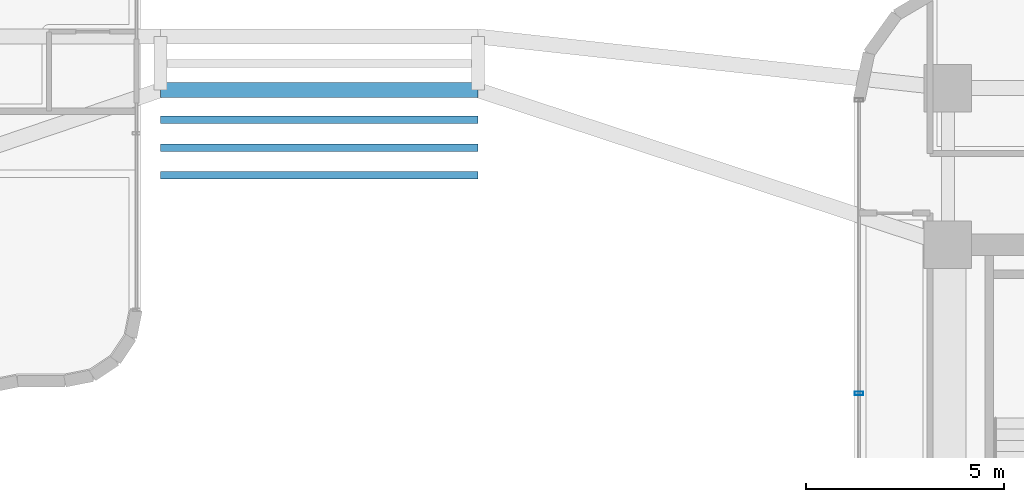
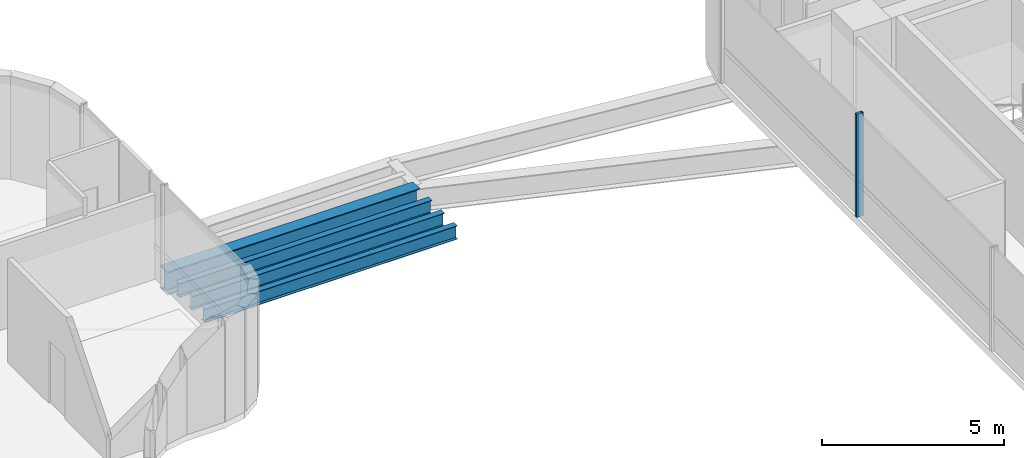
# One storey, part 15 of 36: 4 beams, 1 member, 1 element without a shape of its own.
"""IFC4 building model written with IfcOpenShell, lengths in metres."""

from ifc_helpers import new_model, si_unit, direction, frame, origin, origin_2d, place, context, subcontext, project, spatial, hollow_rectangle, i_section, extrude, source, transform, mapped, material, material_profile, profile_set, type_object, element, aggregate, save


model = new_model("IFC4")

# Units and contexts
model_context = context("Model", 3, precision=1e-05, world=origin(), true_north=direction((0.0, 1.0)))
body_context = subcontext(model_context, "Body", "Model", "MODEL_VIEW")
ifc_project = project(units=[si_unit("LENGTHUNIT", "METRE"), si_unit("AREAUNIT", "SQUARE_METRE"), si_unit("VOLUMEUNIT", "CUBIC_METRE"), si_unit("PLANEANGLEUNIT", "RADIAN"), si_unit("MASSUNIT", "GRAM", prefix="KILO")], contexts=[model_context])

# Site, building, storey
site_placement = place(None, origin())
site = spatial("IfcSite", under=ifc_project, at=site_placement, CompositionType="ELEMENT")
building_placement = place(site_placement, origin())
building = spatial("IfcBuilding", under=site, at=building_placement, Name="Valdorenza Pilgrim Sanctuary Tower", CompositionType="ELEMENT")
storey_placement = place(building_placement, frame((0.0, 0.0, 153.800048828125)))
storey = spatial("IfcBuildingStorey", under=building, at=storey_placement, Name="L39", CompositionType="ELEMENT", Elevation=153.800048828125)

# Beams
ifc_material_1 = material(Name="Steel ASTM A992 Grade 50", Category="steel")
ifc_material_profile_1 = material_profile(ifc_material_1, i_section(OverallWidth=0.382080078125, OverallDepth=0.779052734375, WebThickness=0.01806640625, FlangeThickness=0.030029296875, at=origin_2d()), Name="W30X191")
ifc_profile_set_1 = profile_set([ifc_material_profile_1], Name="Steel ASTM A992 Grade 50")
beam_type_1 = type_object("IfcBeamType", Name="STR-BM-GRD-W30", PredefinedType="BEAM", material=ifc_profile_set_1)
shared_shape_1 = source(origin(), body_context, "Body", "SweptSolid", [
    extrude(i_section(OverallWidth=0.382080078125, OverallDepth=0.779052734375, WebThickness=0.01806640625, FlangeThickness=0.030029296875, at=origin_2d()), origin(), (0.0, 0.0, 1.0), 8.0),
])
beam_placement = place(storey_placement, frame((-4.0, 13.449951171875, -0.629638671875), z_axis=(1.0, 0.0, 0.0), x_axis=(0.0, 1.0, 0.0)))
element("IfcBeam", 1, at=beam_placement, inside=storey, type_object=beam_type_1, Name="L39 Floor Girder KNK-G2", PredefinedType="BEAM", context=body_context, shape_type="MappedRepresentation", body=[
    mapped(shared_shape_1, transform((0.0, 0.0, 0.0), x_axis=(1.0, 0.0, 0.0), y_axis=(0.0, 1.0, 0.0), z_axis=(0.0, 0.0, 1.0), scale=1.0)),
])
ifc_material_profile_2 = material_profile(ifc_material_1, i_section(OverallWidth=0.19091796875, OverallDepth=0.45703125, WebThickness=0.009033203125, FlangeThickness=0.014404296875, at=origin_2d()), Name="W18X50")
ifc_profile_set_2 = profile_set([ifc_material_profile_2], Name="Steel ASTM A992 Grade 50")
beam_type_2 = type_object("IfcBeamType", Name="STR-BM-JST-W18B", PredefinedType="JOIST", material=ifc_profile_set_2)
shared_shape_2 = source(origin(), body_context, "Body", "SweptSolid", [
    extrude(i_section(OverallWidth=0.19091796875, OverallDepth=0.45703125, WebThickness=0.009033203125, FlangeThickness=0.014404296875, at=origin_2d()), origin(), (0.0, 0.0, 1.0), 8.0),
])
for number, where, z_axis, x_axis, name in (
    (2, (-4.0, 11.300048828125, -0.468505859375), (1.0, 0.0, 0.0), (0.0, 1.0, 0.0), "L39 Knuckle Composite Joist JST-KNK-1"),
    (3, (-4.0, 12.0, -0.468505859375), (1.0, 0.0, 0.0), (0.0, 1.0, 0.0), "L39 Knuckle Composite Joist JST-KNK-2"),
    (4, (-4.0, 12.699951171875, -0.468505859375), (1.0, 0.0, 0.0), (0.0, 1.0, 0.0), "L39 Knuckle Composite Joist JST-KNK-3"),
):
    element("IfcBeam", number, at=place(storey_placement, frame(where, z_axis=z_axis, x_axis=x_axis)), inside=storey, type_object=beam_type_2, Name=name, PredefinedType="JOIST", context=body_context, shape_type="MappedRepresentation", body=[
        mapped(shared_shape_2, transform((0.0, 0.0, 0.0), x_axis=(1.0, 0.0, 0.0), y_axis=(0.0, 1.0, 0.0), z_axis=(0.0, 0.0, 1.0), scale=1.0)),
    ])

# Curtain wall, member
ifc_material_2 = material(Name="Curtain-wall IGU glazing", Category="glass")
curtain_wall_type = type_object("IfcCurtainWallType", Name="CW-SYS-03", PredefinedType="NOTDEFINED", material=ifc_material_2)
curtain_wall_placement = place(storey_placement, origin())
curtain_wall = element("IfcCurtainWall", 5, at=curtain_wall_placement, inside=storey, type_object=curtain_wall_type, Name="L39 Curtain Wall CW-L39-2-1", PredefinedType="NOTDEFINED")
ifc_material_3 = material(Name="Anodised aluminium AW-6060", Category="aluminium")
ifc_material_profile_3 = material_profile(ifc_material_3, hollow_rectangle(XDim=0.0849609375, YDim=0.219970703125, WallThickness=0.0048828125, at=origin_2d()), Name="ALU-M 220x85x5")
ifc_profile_set_3 = profile_set([ifc_material_profile_3], Name="Anodised aluminium AW-6060")
member_type = type_object("IfcMemberType", Name="CW-MUL-03", PredefinedType="MULLION", material=ifc_profile_set_3)
shared_shape_3 = source(origin(), body_context, "Body", "SweptSolid", [
    extrude(hollow_rectangle(XDim=0.0849609375, YDim=0.219970703125, WallThickness=0.0048828125, at=origin_2d()), origin(), (0.0, 0.0, 1.0), 3.4599609375),
])
member_placement = place(storey_placement, frame((13.610107421875, 5.803466796875, 0.0), z_axis=(0.0, 0.0, 1.0), x_axis=(0.0, 1.0, 0.0)))
member = element("IfcMember", 6, at=member_placement, type_object=member_type, Name="CW-L39-2-1 Mullion 3", PredefinedType="MULLION", context=body_context, shape_type="MappedRepresentation", body=[
    mapped(shared_shape_3, transform((0.0, 0.0, 0.0), x_axis=(1.0, 0.0, 0.0), y_axis=(0.0, 1.0, 0.0), z_axis=(0.0, 0.0, 1.0), scale=1.0)),
])
aggregate(curtain_wall, [member])

save(model, "model.ifc")
